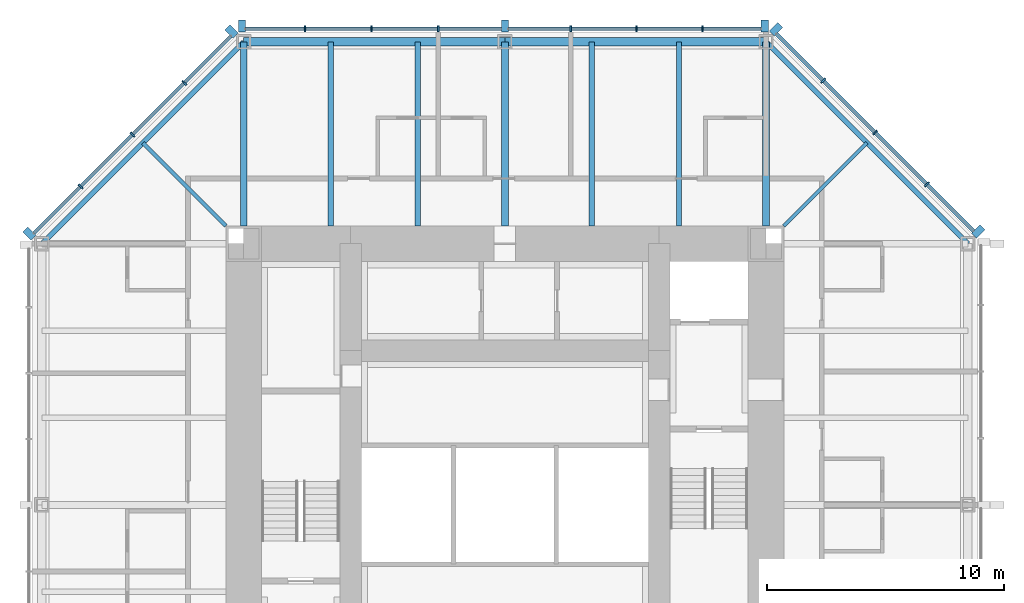
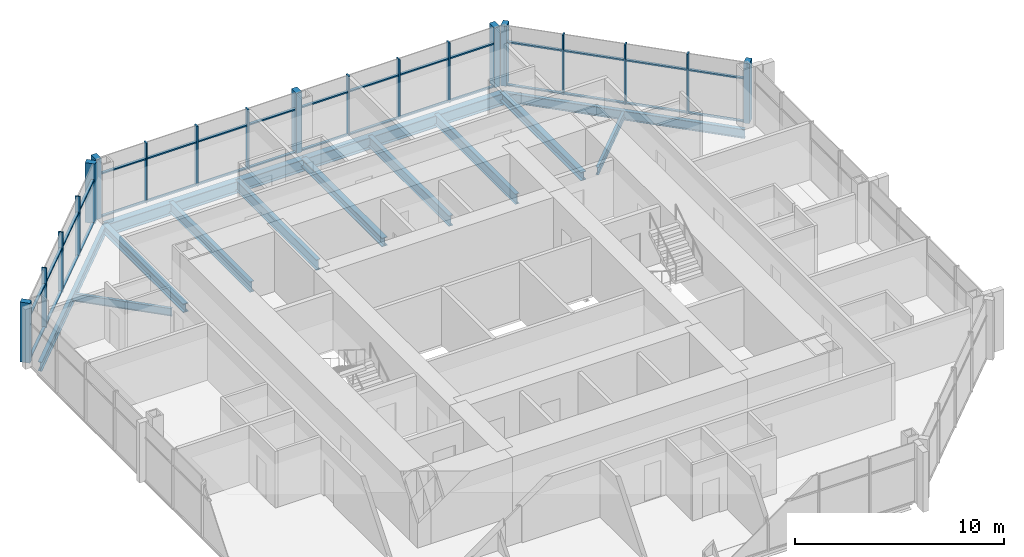
# One storey, part 5 of 11: 51 members, 13 beams, 3 elements without a shape of their own.
"""IFC4 building model written with IfcOpenShell, lengths in metres."""

from ifc_helpers import new_model, si_unit, direction, frame, origin, origin_2d, place, context, subcontext, project, spatial, rectangle, i_section, extrude, material, material_profile, profile_set, type_object, element, aggregate, save


model = new_model("IFC4")

# Units and contexts
model_context = context("Model", 3, precision=1e-05, world=origin(), true_north=direction((0.0, 1.0)))
body_context = subcontext(model_context, "Body", "Model", "MODEL_VIEW")
ifc_project = project(units=[si_unit("LENGTHUNIT", "METRE"), si_unit("AREAUNIT", "SQUARE_METRE"), si_unit("VOLUMEUNIT", "CUBIC_METRE"), si_unit("PLANEANGLEUNIT", "RADIAN"), si_unit("MASSUNIT", "GRAM", prefix="KILO")], contexts=[model_context])

# Site, building, storey
site_placement = place(None, origin())
site = spatial("IfcSite", under=ifc_project, at=site_placement, CompositionType="ELEMENT")
building_placement = place(site_placement, origin())
building = spatial("IfcBuilding", under=site, at=building_placement, Name="Trevanion Tower", CompositionType="ELEMENT")
storey_placement = place(building_placement, frame((0.0, 0.0, 211.699951171875)))
storey = spatial("IfcBuildingStorey", under=building, at=storey_placement, Name="L50", CompositionType="ELEMENT", Elevation=211.699951171875)

# Beams
ifc_material_1 = material(Name="Steel ASTM A992 Grade 50", Category="steel")
ifc_material_profile_1 = material_profile(ifc_material_1, i_section(OverallWidth=0.228271484375, OverallDepth=0.607177734375, WebThickness=0.01123046875, FlangeThickness=0.017333984375, at=origin_2d()), Name="W24X76")
ifc_profile_set_1 = profile_set([ifc_material_profile_1], Name="Steel ASTM A992 Grade 50")
beam_type_1 = type_object("IfcBeamType", Name="B11 W24X76", PredefinedType="BEAM", material=ifc_profile_set_1)
for number, where, z_axis, x_axis, name in (
    (1, (7.333251953125, 11.75, -0.493408203125), (0.0, 1.0, 0.0), (-1.0, 0.0, 0.0), "B11 L50"),
    (2, (3.666748046875, 11.75, -0.493408203125), (0.0, 1.0, 0.0), (-1.0, 0.0, 0.0), "B11 L50"),
    (3, (-3.666748046875, 11.75, -0.493408203125), (0.0, 1.0, 0.0), (-1.0, 0.0, 0.0), "B11 L50"),
    (4, (-7.333251953125, 11.75, -0.493408203125), (0.0, 1.0, 0.0), (-1.0, 0.0, 0.0), "B11 L50"),
):
    element("IfcBeam", number, at=place(storey_placement, frame(where, z_axis=z_axis, x_axis=x_axis)), inside=storey, type_object=beam_type_1, Name=name, PredefinedType="BEAM", context=body_context, shape_type="SweptSolid", body=[
        extrude(i_section(OverallWidth=0.228271484375, OverallDepth=0.607177734375, WebThickness=0.01123046875, FlangeThickness=0.017333984375, at=origin_2d()), origin(), (0.0, 0.0, 1.0), 7.75),
    ])
ifc_material_2 = material(Name="Steel ASTM A992 Grade 50", Category="steel")
ifc_material_profile_2 = material_profile(ifc_material_2, i_section(OverallWidth=0.15234375, OverallDepth=0.449462890625, WebThickness=0.007568359375, FlangeThickness=0.0107421875, at=origin_2d()), Name="W18X35")
ifc_profile_set_2 = profile_set([ifc_material_profile_2], Name="Steel ASTM A992 Grade 50")
beam_type_2 = type_object("IfcBeamType", Name="B12 W18X35", PredefinedType="BEAM", material=ifc_profile_set_2)
for number, where, z_axis, x_axis, name in (
    (5, (11.75, 11.75, -0.414794921875), (0.707106781187, 0.707106781187, 0.0), (-0.707106781187, 0.707106781187, 0.0), "B12 L50"),
    (6, (-11.75, 11.75, -0.414794921875), (-0.707106781187, 0.707106781187, 0.0), (-0.707106781187, -0.707106781187, 0.0), "B12 L50"),
):
    element("IfcBeam", number, at=place(storey_placement, frame(where, z_axis=z_axis, x_axis=x_axis)), inside=storey, type_object=beam_type_2, Name=name, PredefinedType="BEAM", context=body_context, shape_type="SweptSolid", body=[
        extrude(i_section(OverallWidth=0.15234375, OverallDepth=0.449462890625, WebThickness=0.007568359375, FlangeThickness=0.0107421875, at=origin_2d()), origin(), (0.0, 0.0, 1.0), 4.94970703125),
    ])

# Curtain wall, members
ifc_material_3 = material(Name="Aluminium and glass", Category="aluminium")
curtain_wall_type = type_object("IfcCurtainWallType", Name="CW3 curtain wall", PredefinedType="USERDEFINED", material=ifc_material_3)
curtain_wall_1_placement = place(storey_placement, origin())
curtain_wall_1 = element("IfcCurtainWall", 7, at=curtain_wall_1_placement, inside=storey, type_object=curtain_wall_type, Name="CW3 L50 1", ObjectType="UNITISED CURTAIN WALL", PredefinedType="USERDEFINED")
ifc_material_4 = material(Name="Aluminium extrusion, anodised bronze", Category="aluminium")
ifc_material_profile_3 = material_profile(ifc_material_4, rectangle(XDim=0.074951171875, YDim=0.25, at=origin_2d()), Name="CW3 mullion")
ifc_profile_set_3 = profile_set([ifc_material_profile_3], Name="Aluminium extrusion, anodised bronze")
member_type_1 = type_object("IfcMemberType", Name="CW3 mullion", PredefinedType="MULLION", material=ifc_profile_set_3)
member_1_placement = place(storey_placement, frame((17.775390625, 13.502197265625, -0.18994140625), z_axis=(0.0, 0.0, 1.0), x_axis=(-0.707106781187, 0.707106781187, 0.0)))
member_1 = element("IfcMember", 8, at=member_1_placement, type_object=member_type_1, Name="CW3 mullion 2", PredefinedType="MULLION", context=body_context, shape_type="SweptSolid", body=[
    extrude(rectangle(XDim=0.074951171875, YDim=0.25, at=origin_2d()), origin(), (0.0, 0.0, 1.0), 3.5),
])
member_2_placement = place(storey_placement, frame((15.593017578125, 15.684814453125, -0.18994140625), z_axis=(0.0, 0.0, 1.0), x_axis=(-0.707106781187, 0.707106781187, 0.0)))
member_2 = element("IfcMember", 9, at=member_2_placement, type_object=member_type_1, Name="CW3 mullion 3", PredefinedType="MULLION", context=body_context, shape_type="SweptSolid", body=[
    extrude(rectangle(XDim=0.074951171875, YDim=0.25, at=origin_2d()), origin(), (0.0, 0.0, 1.0), 3.5),
])
member_3_placement = place(storey_placement, frame((13.410400390625, 17.867431640625, -0.18994140625), z_axis=(0.0, 0.0, 1.0), x_axis=(-0.707106781187, 0.707106781187, 0.0)))
member_3 = element("IfcMember", 10, at=member_3_placement, type_object=member_type_1, Name="CW3 mullion 4", PredefinedType="MULLION", context=body_context, shape_type="SweptSolid", body=[
    extrude(rectangle(XDim=0.074951171875, YDim=0.25, at=origin_2d()), origin(), (0.0, 0.0, 1.0), 3.5),
])

curtain_wall_2_placement = place(storey_placement, origin())
curtain_wall_2 = element("IfcCurtainWall", 11, at=curtain_wall_2_placement, inside=storey, type_object=curtain_wall_type, Name="CW3 L50 2", ObjectType="UNITISED CURTAIN WALL", PredefinedType="USERDEFINED")
member_4_placement = place(storey_placement, frame((8.323486328125, 20.050048828125, -0.18994140625), z_axis=(0.0, 0.0, 1.0), x_axis=(-1.0, 0.0, 0.0)))
member_4 = element("IfcMember", 12, at=member_4_placement, type_object=member_type_1, Name="CW3 mullion 2", PredefinedType="MULLION", context=body_context, shape_type="SweptSolid", body=[
    extrude(rectangle(XDim=0.074951171875, YDim=0.25, at=origin_2d()), origin(), (0.0, 0.0, 1.0), 3.5),
])
member_5_placement = place(storey_placement, frame((5.548828125, 20.050048828125, -0.18994140625), z_axis=(0.0, 0.0, 1.0), x_axis=(-1.0, 0.0, 0.0)))
member_5 = element("IfcMember", 13, at=member_5_placement, type_object=member_type_1, Name="CW3 mullion 3", PredefinedType="MULLION", context=body_context, shape_type="SweptSolid", body=[
    extrude(rectangle(XDim=0.074951171875, YDim=0.25, at=origin_2d()), origin(), (0.0, 0.0, 1.0), 3.5),
])
member_6_placement = place(storey_placement, frame((2.7744140625, 20.050048828125, -0.18994140625), z_axis=(0.0, 0.0, 1.0), x_axis=(-1.0, 0.0, 0.0)))
member_6 = element("IfcMember", 14, at=member_6_placement, type_object=member_type_1, Name="CW3 mullion 4", PredefinedType="MULLION", context=body_context, shape_type="SweptSolid", body=[
    extrude(rectangle(XDim=0.074951171875, YDim=0.25, at=origin_2d()), origin(), (0.0, 0.0, 1.0), 3.5),
])
member_7_placement = place(storey_placement, frame((-2.806884765625, 20.050048828125, -0.18994140625), z_axis=(0.0, 0.0, 1.0), x_axis=(-1.0, 0.0, 0.0)))
member_7 = element("IfcMember", 15, at=member_7_placement, type_object=member_type_1, Name="CW3 mullion 6", PredefinedType="MULLION", context=body_context, shape_type="SweptSolid", body=[
    extrude(rectangle(XDim=0.074951171875, YDim=0.25, at=origin_2d()), origin(), (0.0, 0.0, 1.0), 3.5),
])
member_8_placement = place(storey_placement, frame((-5.614013671875, 20.050048828125, -0.18994140625), z_axis=(0.0, 0.0, 1.0), x_axis=(-1.0, 0.0, 0.0)))
member_8 = element("IfcMember", 16, at=member_8_placement, type_object=member_type_1, Name="CW3 mullion 7", PredefinedType="MULLION", context=body_context, shape_type="SweptSolid", body=[
    extrude(rectangle(XDim=0.074951171875, YDim=0.25, at=origin_2d()), origin(), (0.0, 0.0, 1.0), 3.5),
])
member_9_placement = place(storey_placement, frame((-8.4208984375, 20.050048828125, -0.18994140625), z_axis=(0.0, 0.0, 1.0), x_axis=(-1.0, 0.0, 0.0)))
member_9 = element("IfcMember", 17, at=member_9_placement, type_object=member_type_1, Name="CW3 mullion 8", PredefinedType="MULLION", context=body_context, shape_type="SweptSolid", body=[
    extrude(rectangle(XDim=0.074951171875, YDim=0.25, at=origin_2d()), origin(), (0.0, 0.0, 1.0), 3.5),
])

curtain_wall_3_placement = place(storey_placement, origin())
curtain_wall_3 = element("IfcCurtainWall", 18, at=curtain_wall_3_placement, inside=storey, type_object=curtain_wall_type, Name="CW3 L50 3", ObjectType="UNITISED CURTAIN WALL", PredefinedType="USERDEFINED")
member_10_placement = place(storey_placement, frame((-13.502197265625, 17.775390625, -0.18994140625), z_axis=(0.0, 0.0, 1.0), x_axis=(-0.707106781187, -0.707106781187, 0.0)))
member_10 = element("IfcMember", 19, at=member_10_placement, type_object=member_type_1, Name="CW3 mullion 2", PredefinedType="MULLION", context=body_context, shape_type="SweptSolid", body=[
    extrude(rectangle(XDim=0.074951171875, YDim=0.25, at=origin_2d()), origin(), (0.0, 0.0, 1.0), 3.5),
])
member_11_placement = place(storey_placement, frame((-15.684814453125, 15.593017578125, -0.18994140625), z_axis=(0.0, 0.0, 1.0), x_axis=(-0.707106781187, -0.707106781187, 0.0)))
member_11 = element("IfcMember", 20, at=member_11_placement, type_object=member_type_1, Name="CW3 mullion 3", PredefinedType="MULLION", context=body_context, shape_type="SweptSolid", body=[
    extrude(rectangle(XDim=0.074951171875, YDim=0.25, at=origin_2d()), origin(), (0.0, 0.0, 1.0), 3.5),
])
member_12_placement = place(storey_placement, frame((-17.867431640625, 13.410400390625, -0.18994140625), z_axis=(0.0, 0.0, 1.0), x_axis=(-0.707106781187, -0.707106781187, 0.0)))
member_12 = element("IfcMember", 21, at=member_12_placement, type_object=member_type_1, Name="CW3 mullion 4", PredefinedType="MULLION", context=body_context, shape_type="SweptSolid", body=[
    extrude(rectangle(XDim=0.074951171875, YDim=0.25, at=origin_2d()), origin(), (0.0, 0.0, 1.0), 3.5),
])

# Member
ifc_material_5 = material(Name="Aluminium extrusion, anodised bronze", Category="aluminium")
ifc_material_profile_4 = material_profile(ifc_material_5, rectangle(XDim=0.300048828125, YDim=0.5, at=origin_2d()), Name="CW3 pier mullion")
ifc_profile_set_4 = profile_set([ifc_material_profile_4], Name="Aluminium extrusion, anodised bronze")
member_type_2 = type_object("IfcMemberType", Name="CW3 pier mullion", PredefinedType="MULLION", material=ifc_profile_set_4)
member_13_placement = place(storey_placement, frame((19.9404296875, 11.51416015625, -0.18994140625), z_axis=(0.0, 0.0, 1.0), x_axis=(-0.707106781187, 0.707106781187, 0.0)))
member_13 = element("IfcMember", 22, at=member_13_placement, type_object=member_type_2, Name="CW3 pier mullion 1", PredefinedType="MULLION", context=body_context, shape_type="SweptSolid", body=[
    extrude(rectangle(XDim=0.300048828125, YDim=0.5, at=origin_2d()), origin(), (0.0, 0.0, 1.0), 3.5),
])

member_14_placement = place(storey_placement, frame((11.42236328125, 20.0322265625, -0.18994140625), z_axis=(0.0, 0.0, 1.0), x_axis=(-0.707106781187, 0.707106781187, 0.0)))
member_14 = element("IfcMember", 23, at=member_14_placement, type_object=member_type_2, Name="CW3 pier mullion 5", PredefinedType="MULLION", context=body_context, shape_type="SweptSolid", body=[
    extrude(rectangle(XDim=0.300048828125, YDim=0.5, at=origin_2d()), origin(), (0.0, 0.0, 1.0), 3.5),
])

member_15_placement = place(storey_placement, frame((10.94775390625, 20.175048828125, -0.18994140625), z_axis=(0.0, 0.0, 1.0), x_axis=(-1.0, 0.0, 0.0)))
member_15 = element("IfcMember", 24, at=member_15_placement, type_object=member_type_2, Name="CW3 pier mullion 1", PredefinedType="MULLION", context=body_context, shape_type="SweptSolid", body=[
    extrude(rectangle(XDim=0.300048828125, YDim=0.5, at=origin_2d()), origin(), (0.0, 0.0, 1.0), 3.5),
])

member_16_placement = place(storey_placement, frame((0.0, 20.175048828125, -0.18994140625), z_axis=(0.0, 0.0, 1.0), x_axis=(-1.0, 0.0, 0.0)))
member_16 = element("IfcMember", 25, at=member_16_placement, type_object=member_type_2, Name="CW3 pier mullion 5", PredefinedType="MULLION", context=body_context, shape_type="SweptSolid", body=[
    extrude(rectangle(XDim=0.300048828125, YDim=0.5, at=origin_2d()), origin(), (0.0, 0.0, 1.0), 3.5),
])

member_17_placement = place(storey_placement, frame((-11.077880859375, 20.175048828125, -0.18994140625), z_axis=(0.0, 0.0, 1.0), x_axis=(-1.0, 0.0, 0.0)))
member_17 = element("IfcMember", 26, at=member_17_placement, type_object=member_type_2, Name="CW3 pier mullion 9", PredefinedType="MULLION", context=body_context, shape_type="SweptSolid", body=[
    extrude(rectangle(XDim=0.300048828125, YDim=0.5, at=origin_2d()), origin(), (0.0, 0.0, 1.0), 3.5),
])

member_18_placement = place(storey_placement, frame((-11.51416015625, 19.9404296875, -0.18994140625), z_axis=(0.0, 0.0, 1.0), x_axis=(-0.707106781187, -0.707106781187, 0.0)))
member_18 = element("IfcMember", 27, at=member_18_placement, type_object=member_type_2, Name="CW3 pier mullion 1", PredefinedType="MULLION", context=body_context, shape_type="SweptSolid", body=[
    extrude(rectangle(XDim=0.300048828125, YDim=0.5, at=origin_2d()), origin(), (0.0, 0.0, 1.0), 3.5),
])

member_19_placement = place(storey_placement, frame((-20.0322265625, 11.42236328125, -0.18994140625), z_axis=(0.0, 0.0, 1.0), x_axis=(-0.707106781187, -0.707106781187, 0.0)))
member_19 = element("IfcMember", 28, at=member_19_placement, type_object=member_type_2, Name="CW3 pier mullion 5", PredefinedType="MULLION", context=body_context, shape_type="SweptSolid", body=[
    extrude(rectangle(XDim=0.300048828125, YDim=0.5, at=origin_2d()), origin(), (0.0, 0.0, 1.0), 3.5),
])

ifc_material_6 = material(Name="Aluminium extrusion, anodised bronze", Category="aluminium")
ifc_material_profile_5 = material_profile(ifc_material_6, rectangle(XDim=0.14990234375, YDim=0.074951171875, at=origin_2d()), Name="CW3 transom")
ifc_profile_set_5 = profile_set([ifc_material_profile_5], Name="Aluminium extrusion, anodised bronze")
member_type_3 = type_object("IfcMemberType", Name="CW3 transom", PredefinedType="USERDEFINED", material=ifc_profile_set_5)
member_20_placement = place(storey_placement, frame((19.745849609375, 11.531982421875, -0.15234375), z_axis=(-0.707106781187, 0.707106781187, 0.0), x_axis=(-0.707106781187, -0.707106781187, 0.0)))
member_20 = element("IfcMember", 29, at=member_20_placement, type_object=member_type_3, Name="CW3 transom 1.1", ObjectType="TRANSOM", PredefinedType="USERDEFINED", context=body_context, shape_type="SweptSolid", body=[
    extrude(rectangle(XDim=0.14990234375, YDim=0.074951171875, at=origin_2d()), origin(), (0.0, 0.0, 1.0), 2.7490234375),
])

member_21_placement = place(storey_placement, frame((19.745849609375, 11.531982421875, 2.360107421875), z_axis=(-0.707106781187, 0.707106781187, 0.0), x_axis=(-0.707106781187, -0.707106781187, 0.0)))
member_21 = element("IfcMember", 30, at=member_21_placement, type_object=member_type_3, Name="CW3 transom 1.2", ObjectType="TRANSOM", PredefinedType="USERDEFINED", context=body_context, shape_type="SweptSolid", body=[
    extrude(rectangle(XDim=0.14990234375, YDim=0.074951171875, at=origin_2d()), origin(), (0.0, 0.0, 1.0), 2.7490234375),
])

member_22_placement = place(storey_placement, frame((17.7490234375, 13.52880859375, -0.15234375), z_axis=(-0.707106781187, 0.707106781187, 0.0), x_axis=(-0.707106781187, -0.707106781187, 0.0)))
member_22 = element("IfcMember", 31, at=member_22_placement, type_object=member_type_3, Name="CW3 transom 2.1", ObjectType="TRANSOM", PredefinedType="USERDEFINED", context=body_context, shape_type="SweptSolid", body=[
    extrude(rectangle(XDim=0.14990234375, YDim=0.074951171875, at=origin_2d()), origin(), (0.0, 0.0, 1.0), 3.01171875),
])

member_23_placement = place(storey_placement, frame((17.7490234375, 13.52880859375, 2.360107421875), z_axis=(-0.707106781187, 0.707106781187, 0.0), x_axis=(-0.707106781187, -0.707106781187, 0.0)))
member_23 = element("IfcMember", 32, at=member_23_placement, type_object=member_type_3, Name="CW3 transom 2.2", ObjectType="TRANSOM", PredefinedType="USERDEFINED", context=body_context, shape_type="SweptSolid", body=[
    extrude(rectangle(XDim=0.14990234375, YDim=0.074951171875, at=origin_2d()), origin(), (0.0, 0.0, 1.0), 3.01171875),
])

member_24_placement = place(storey_placement, frame((15.56640625, 15.71142578125, -0.15234375), z_axis=(-0.707106781187, 0.707106781187, 0.0), x_axis=(-0.707106781187, -0.707106781187, 0.0)))
member_24 = element("IfcMember", 33, at=member_24_placement, type_object=member_type_3, Name="CW3 transom 3.1", ObjectType="TRANSOM", PredefinedType="USERDEFINED", context=body_context, shape_type="SweptSolid", body=[
    extrude(rectangle(XDim=0.14990234375, YDim=0.074951171875, at=origin_2d()), origin(), (0.0, 0.0, 1.0), 3.011474609375),
])

member_25_placement = place(storey_placement, frame((15.56640625, 15.71142578125, 2.360107421875), z_axis=(-0.707106781187, 0.707106781187, 0.0), x_axis=(-0.707106781187, -0.707106781187, 0.0)))
member_25 = element("IfcMember", 34, at=member_25_placement, type_object=member_type_3, Name="CW3 transom 3.2", ObjectType="TRANSOM", PredefinedType="USERDEFINED", context=body_context, shape_type="SweptSolid", body=[
    extrude(rectangle(XDim=0.14990234375, YDim=0.074951171875, at=origin_2d()), origin(), (0.0, 0.0, 1.0), 3.011474609375),
])

member_26_placement = place(storey_placement, frame((13.3837890625, 17.89404296875, -0.15234375), z_axis=(-0.707106781187, 0.707106781187, 0.0), x_axis=(-0.707106781187, -0.707106781187, 0.0)))
member_26 = element("IfcMember", 35, at=member_26_placement, type_object=member_type_3, Name="CW3 transom 4.1", ObjectType="TRANSOM", PredefinedType="USERDEFINED", context=body_context, shape_type="SweptSolid", body=[
    extrude(rectangle(XDim=0.14990234375, YDim=0.074951171875, at=origin_2d()), origin(), (0.0, 0.0, 1.0), 2.7490234375),
])

member_27_placement = place(storey_placement, frame((13.3837890625, 17.89404296875, 2.360107421875), z_axis=(-0.707106781187, 0.707106781187, 0.0), x_axis=(-0.707106781187, -0.707106781187, 0.0)))
member_27 = element("IfcMember", 36, at=member_27_placement, type_object=member_type_3, Name="CW3 transom 4.2", ObjectType="TRANSOM", PredefinedType="USERDEFINED", context=body_context, shape_type="SweptSolid", body=[
    extrude(rectangle(XDim=0.14990234375, YDim=0.074951171875, at=origin_2d()), origin(), (0.0, 0.0, 1.0), 2.7490234375),
])

aggregate(curtain_wall_1, [member_13, member_1, member_2, member_3, member_14, member_20, member_21, member_22, member_23, member_24, member_25, member_26, member_27])

member_28_placement = place(storey_placement, frame((10.7978515625, 20.050048828125, -0.15234375), z_axis=(-1.0, 0.0, 0.0), x_axis=(0.0, -1.0, 0.0)))
member_28 = element("IfcMember", 37, at=member_28_placement, type_object=member_type_3, Name="CW3 transom 1.1", ObjectType="TRANSOM", PredefinedType="USERDEFINED", context=body_context, shape_type="SweptSolid", body=[
    extrude(rectangle(XDim=0.14990234375, YDim=0.074951171875, at=origin_2d()), origin(), (0.0, 0.0, 1.0), 2.43701171875),
])

member_29_placement = place(storey_placement, frame((10.7978515625, 20.050048828125, 2.360107421875), z_axis=(-1.0, 0.0, 0.0), x_axis=(0.0, -1.0, 0.0)))
member_29 = element("IfcMember", 38, at=member_29_placement, type_object=member_type_3, Name="CW3 transom 1.2", ObjectType="TRANSOM", PredefinedType="USERDEFINED", context=body_context, shape_type="SweptSolid", body=[
    extrude(rectangle(XDim=0.14990234375, YDim=0.074951171875, at=origin_2d()), origin(), (0.0, 0.0, 1.0), 2.43701171875),
])

member_30_placement = place(storey_placement, frame((8.285888671875, 20.050048828125, -0.15234375), z_axis=(-1.0, 0.0, 0.0), x_axis=(0.0, -1.0, 0.0)))
member_30 = element("IfcMember", 39, at=member_30_placement, type_object=member_type_3, Name="CW3 transom 2.1", ObjectType="TRANSOM", PredefinedType="USERDEFINED", context=body_context, shape_type="SweptSolid", body=[
    extrude(rectangle(XDim=0.14990234375, YDim=0.074951171875, at=origin_2d()), origin(), (0.0, 0.0, 1.0), 2.699462890625),
])

member_31_placement = place(storey_placement, frame((8.285888671875, 20.050048828125, 2.360107421875), z_axis=(-1.0, 0.0, 0.0), x_axis=(0.0, -1.0, 0.0)))
member_31 = element("IfcMember", 40, at=member_31_placement, type_object=member_type_3, Name="CW3 transom 2.2", ObjectType="TRANSOM", PredefinedType="USERDEFINED", context=body_context, shape_type="SweptSolid", body=[
    extrude(rectangle(XDim=0.14990234375, YDim=0.074951171875, at=origin_2d()), origin(), (0.0, 0.0, 1.0), 2.699462890625),
])

member_32_placement = place(storey_placement, frame((5.511474609375, 20.050048828125, -0.15234375), z_axis=(-1.0, 0.0, 0.0), x_axis=(0.0, -1.0, 0.0)))
member_32 = element("IfcMember", 41, at=member_32_placement, type_object=member_type_3, Name="CW3 transom 3.1", ObjectType="TRANSOM", PredefinedType="USERDEFINED", context=body_context, shape_type="SweptSolid", body=[
    extrude(rectangle(XDim=0.14990234375, YDim=0.074951171875, at=origin_2d()), origin(), (0.0, 0.0, 1.0), 2.699462890625),
])

member_33_placement = place(storey_placement, frame((5.511474609375, 20.050048828125, 2.360107421875), z_axis=(-1.0, 0.0, 0.0), x_axis=(0.0, -1.0, 0.0)))
member_33 = element("IfcMember", 42, at=member_33_placement, type_object=member_type_3, Name="CW3 transom 3.2", ObjectType="TRANSOM", PredefinedType="USERDEFINED", context=body_context, shape_type="SweptSolid", body=[
    extrude(rectangle(XDim=0.14990234375, YDim=0.074951171875, at=origin_2d()), origin(), (0.0, 0.0, 1.0), 2.699462890625),
])

member_34_placement = place(storey_placement, frame((2.737060546875, 20.050048828125, -0.15234375), z_axis=(-1.0, 0.0, 0.0), x_axis=(0.0, -1.0, 0.0)))
member_34 = element("IfcMember", 43, at=member_34_placement, type_object=member_type_3, Name="CW3 transom 4.1", ObjectType="TRANSOM", PredefinedType="USERDEFINED", context=body_context, shape_type="SweptSolid", body=[
    extrude(rectangle(XDim=0.14990234375, YDim=0.074951171875, at=origin_2d()), origin(), (0.0, 0.0, 1.0), 2.587158203125),
])

member_35_placement = place(storey_placement, frame((2.737060546875, 20.050048828125, 2.360107421875), z_axis=(-1.0, 0.0, 0.0), x_axis=(0.0, -1.0, 0.0)))
member_35 = element("IfcMember", 44, at=member_35_placement, type_object=member_type_3, Name="CW3 transom 4.2", ObjectType="TRANSOM", PredefinedType="USERDEFINED", context=body_context, shape_type="SweptSolid", body=[
    extrude(rectangle(XDim=0.14990234375, YDim=0.074951171875, at=origin_2d()), origin(), (0.0, 0.0, 1.0), 2.587158203125),
])

member_36_placement = place(storey_placement, frame((-0.14990234375, 20.050048828125, -0.15234375), z_axis=(-1.0, 0.0, 0.0), x_axis=(0.0, -1.0, 0.0)))
member_36 = element("IfcMember", 45, at=member_36_placement, type_object=member_type_3, Name="CW3 transom 5.1", ObjectType="TRANSOM", PredefinedType="USERDEFINED", context=body_context, shape_type="SweptSolid", body=[
    extrude(rectangle(XDim=0.14990234375, YDim=0.074951171875, at=origin_2d()), origin(), (0.0, 0.0, 1.0), 2.619384765625),
])

member_37_placement = place(storey_placement, frame((-0.14990234375, 20.050048828125, 2.360107421875), z_axis=(-1.0, 0.0, 0.0), x_axis=(0.0, -1.0, 0.0)))
member_37 = element("IfcMember", 46, at=member_37_placement, type_object=member_type_3, Name="CW3 transom 5.2", ObjectType="TRANSOM", PredefinedType="USERDEFINED", context=body_context, shape_type="SweptSolid", body=[
    extrude(rectangle(XDim=0.14990234375, YDim=0.074951171875, at=origin_2d()), origin(), (0.0, 0.0, 1.0), 2.619384765625),
])

member_38_placement = place(storey_placement, frame((-2.844482421875, 20.050048828125, -0.15234375), z_axis=(-1.0, 0.0, 0.0), x_axis=(0.0, -1.0, 0.0)))
member_38 = element("IfcMember", 47, at=member_38_placement, type_object=member_type_3, Name="CW3 transom 6.1", ObjectType="TRANSOM", PredefinedType="USERDEFINED", context=body_context, shape_type="SweptSolid", body=[
    extrude(rectangle(XDim=0.14990234375, YDim=0.074951171875, at=origin_2d()), origin(), (0.0, 0.0, 1.0), 2.73193359375),
])

member_39_placement = place(storey_placement, frame((-2.844482421875, 20.050048828125, 2.360107421875), z_axis=(-1.0, 0.0, 0.0), x_axis=(0.0, -1.0, 0.0)))
member_39 = element("IfcMember", 48, at=member_39_placement, type_object=member_type_3, Name="CW3 transom 6.2", ObjectType="TRANSOM", PredefinedType="USERDEFINED", context=body_context, shape_type="SweptSolid", body=[
    extrude(rectangle(XDim=0.14990234375, YDim=0.074951171875, at=origin_2d()), origin(), (0.0, 0.0, 1.0), 2.73193359375),
])

member_40_placement = place(storey_placement, frame((-5.6513671875, 20.050048828125, -0.15234375), z_axis=(-1.0, 0.0, 0.0), x_axis=(0.0, -1.0, 0.0)))
member_40 = element("IfcMember", 49, at=member_40_placement, type_object=member_type_3, Name="CW3 transom 7.1", ObjectType="TRANSOM", PredefinedType="USERDEFINED", context=body_context, shape_type="SweptSolid", body=[
    extrude(rectangle(XDim=0.14990234375, YDim=0.074951171875, at=origin_2d()), origin(), (0.0, 0.0, 1.0), 2.73193359375),
])

member_41_placement = place(storey_placement, frame((-5.6513671875, 20.050048828125, 2.360107421875), z_axis=(-1.0, 0.0, 0.0), x_axis=(0.0, -1.0, 0.0)))
member_41 = element("IfcMember", 50, at=member_41_placement, type_object=member_type_3, Name="CW3 transom 7.2", ObjectType="TRANSOM", PredefinedType="USERDEFINED", context=body_context, shape_type="SweptSolid", body=[
    extrude(rectangle(XDim=0.14990234375, YDim=0.074951171875, at=origin_2d()), origin(), (0.0, 0.0, 1.0), 2.73193359375),
])

member_42_placement = place(storey_placement, frame((-8.45849609375, 20.050048828125, -0.15234375), z_axis=(-1.0, 0.0, 0.0), x_axis=(0.0, -1.0, 0.0)))
member_42 = element("IfcMember", 51, at=member_42_placement, type_object=member_type_3, Name="CW3 transom 8.1", ObjectType="TRANSOM", PredefinedType="USERDEFINED", context=body_context, shape_type="SweptSolid", body=[
    extrude(rectangle(XDim=0.14990234375, YDim=0.074951171875, at=origin_2d()), origin(), (0.0, 0.0, 1.0), 2.46923828125),
])

member_43_placement = place(storey_placement, frame((-8.45849609375, 20.050048828125, 2.360107421875), z_axis=(-1.0, 0.0, 0.0), x_axis=(0.0, -1.0, 0.0)))
member_43 = element("IfcMember", 52, at=member_43_placement, type_object=member_type_3, Name="CW3 transom 8.2", ObjectType="TRANSOM", PredefinedType="USERDEFINED", context=body_context, shape_type="SweptSolid", body=[
    extrude(rectangle(XDim=0.14990234375, YDim=0.074951171875, at=origin_2d()), origin(), (0.0, 0.0, 1.0), 2.46923828125),
])

aggregate(curtain_wall_2, [member_15, member_4, member_5, member_6, member_16, member_7, member_8, member_9, member_17, member_28, member_29, member_30, member_31, member_32, member_33, member_34, member_35, member_36, member_37, member_38, member_39, member_40, member_41, member_42, member_43])

member_44_placement = place(storey_placement, frame((-11.531982421875, 19.745849609375, -0.15234375), z_axis=(-0.707106781187, -0.707106781187, 0.0), x_axis=(0.707106781187, -0.707106781187, 0.0)))
member_44 = element("IfcMember", 53, at=member_44_placement, type_object=member_type_3, Name="CW3 transom 1.1", ObjectType="TRANSOM", PredefinedType="USERDEFINED", context=body_context, shape_type="SweptSolid", body=[
    extrude(rectangle(XDim=0.14990234375, YDim=0.074951171875, at=origin_2d()), origin(), (0.0, 0.0, 1.0), 2.7490234375),
])

member_45_placement = place(storey_placement, frame((-11.531982421875, 19.745849609375, 2.360107421875), z_axis=(-0.707106781187, -0.707106781187, 0.0), x_axis=(0.707106781187, -0.707106781187, 0.0)))
member_45 = element("IfcMember", 54, at=member_45_placement, type_object=member_type_3, Name="CW3 transom 1.2", ObjectType="TRANSOM", PredefinedType="USERDEFINED", context=body_context, shape_type="SweptSolid", body=[
    extrude(rectangle(XDim=0.14990234375, YDim=0.074951171875, at=origin_2d()), origin(), (0.0, 0.0, 1.0), 2.7490234375),
])

member_46_placement = place(storey_placement, frame((-13.52880859375, 17.7490234375, -0.15234375), z_axis=(-0.707106781187, -0.707106781187, 0.0), x_axis=(0.707106781187, -0.707106781187, 0.0)))
member_46 = element("IfcMember", 55, at=member_46_placement, type_object=member_type_3, Name="CW3 transom 2.1", ObjectType="TRANSOM", PredefinedType="USERDEFINED", context=body_context, shape_type="SweptSolid", body=[
    extrude(rectangle(XDim=0.14990234375, YDim=0.074951171875, at=origin_2d()), origin(), (0.0, 0.0, 1.0), 3.01171875),
])

member_47_placement = place(storey_placement, frame((-13.52880859375, 17.7490234375, 2.360107421875), z_axis=(-0.707106781187, -0.707106781187, 0.0), x_axis=(0.707106781187, -0.707106781187, 0.0)))
member_47 = element("IfcMember", 56, at=member_47_placement, type_object=member_type_3, Name="CW3 transom 2.2", ObjectType="TRANSOM", PredefinedType="USERDEFINED", context=body_context, shape_type="SweptSolid", body=[
    extrude(rectangle(XDim=0.14990234375, YDim=0.074951171875, at=origin_2d()), origin(), (0.0, 0.0, 1.0), 3.01171875),
])

member_48_placement = place(storey_placement, frame((-15.71142578125, 15.56640625, -0.15234375), z_axis=(-0.707106781187, -0.707106781187, 0.0), x_axis=(0.707106781187, -0.707106781187, 0.0)))
member_48 = element("IfcMember", 57, at=member_48_placement, type_object=member_type_3, Name="CW3 transom 3.1", ObjectType="TRANSOM", PredefinedType="USERDEFINED", context=body_context, shape_type="SweptSolid", body=[
    extrude(rectangle(XDim=0.14990234375, YDim=0.074951171875, at=origin_2d()), origin(), (0.0, 0.0, 1.0), 3.011474609375),
])

member_49_placement = place(storey_placement, frame((-15.71142578125, 15.56640625, 2.360107421875), z_axis=(-0.707106781187, -0.707106781187, 0.0), x_axis=(0.707106781187, -0.707106781187, 0.0)))
member_49 = element("IfcMember", 58, at=member_49_placement, type_object=member_type_3, Name="CW3 transom 3.2", ObjectType="TRANSOM", PredefinedType="USERDEFINED", context=body_context, shape_type="SweptSolid", body=[
    extrude(rectangle(XDim=0.14990234375, YDim=0.074951171875, at=origin_2d()), origin(), (0.0, 0.0, 1.0), 3.011474609375),
])

member_50_placement = place(storey_placement, frame((-17.89404296875, 13.3837890625, -0.15234375), z_axis=(-0.707106781187, -0.707106781187, 0.0), x_axis=(0.707106781187, -0.707106781187, 0.0)))
member_50 = element("IfcMember", 59, at=member_50_placement, type_object=member_type_3, Name="CW3 transom 4.1", ObjectType="TRANSOM", PredefinedType="USERDEFINED", context=body_context, shape_type="SweptSolid", body=[
    extrude(rectangle(XDim=0.14990234375, YDim=0.074951171875, at=origin_2d()), origin(), (0.0, 0.0, 1.0), 2.7490234375),
])

member_51_placement = place(storey_placement, frame((-17.89404296875, 13.3837890625, 2.360107421875), z_axis=(-0.707106781187, -0.707106781187, 0.0), x_axis=(0.707106781187, -0.707106781187, 0.0)))
member_51 = element("IfcMember", 60, at=member_51_placement, type_object=member_type_3, Name="CW3 transom 4.2", ObjectType="TRANSOM", PredefinedType="USERDEFINED", context=body_context, shape_type="SweptSolid", body=[
    extrude(rectangle(XDim=0.14990234375, YDim=0.074951171875, at=origin_2d()), origin(), (0.0, 0.0, 1.0), 2.7490234375),
])

aggregate(curtain_wall_3, [member_18, member_10, member_11, member_12, member_19, member_44, member_45, member_46, member_47, member_48, member_49, member_50, member_51])

# Beams
ifc_material_7 = material(Name="Steel ASTM A992 Grade 50", Category="steel")
ifc_material_profile_6 = material_profile(ifc_material_7, i_section(OverallWidth=0.28955078125, OverallDepth=0.508056640625, WebThickness=0.022705078125, FlangeThickness=0.040283203125, at=origin_2d()), Name="W18X175")
ifc_profile_set_6 = profile_set([ifc_material_profile_6], Name="Steel ASTM A992 Grade 50")
beam_type_3 = type_object("IfcBeamType", Name="G6 W18X175", PredefinedType="BEAM", material=ifc_profile_set_6)
for number, where, z_axis, x_axis, name in (
    (61, (11.0, 11.75, -0.44384765625), (0.0, 1.0, 0.0), (-1.0, 0.0, 0.0), "G6 L50"),
    (62, (0.0, 11.75, -0.44384765625), (0.0, 1.0, 0.0), (-1.0, 0.0, 0.0), "G6 L50"),
    (63, (-11.0, 11.75, -0.44384765625), (0.0, 1.0, 0.0), (-1.0, 0.0, 0.0), "G6 L50"),
):
    element("IfcBeam", number, at=place(storey_placement, frame(where, z_axis=z_axis, x_axis=x_axis)), inside=storey, type_object=beam_type_3, Name=name, PredefinedType="BEAM", context=body_context, shape_type="SweptSolid", body=[
        extrude(i_section(OverallWidth=0.28955078125, OverallDepth=0.508056640625, WebThickness=0.022705078125, FlangeThickness=0.040283203125, at=origin_2d()), origin(), (0.0, 0.0, 1.0), 7.75),
    ])
ifc_material_8 = material(Name="Steel ASTM A992 Grade 50", Category="steel")
ifc_material_profile_7 = material_profile(ifc_material_8, i_section(OverallWidth=0.355712890625, OverallDepth=0.696044921875, WebThickness=0.015380859375, FlangeThickness=0.024658203125, at=origin_2d()), Name="W27X146")
ifc_profile_set_7 = profile_set([ifc_material_profile_7], Name="Steel ASTM A992 Grade 50")
beam_type_4 = type_object("IfcBeamType", Name="SB8 W27X146", PredefinedType="SPANDREL", material=ifc_profile_set_7)
for number, where, z_axis, x_axis, name in (
    (64, (11.0, 19.5, -0.537841796875), (-1.0, 0.0, 0.0), (0.0, -1.0, 0.0), "SB8 L50"),
    (65, (0.0, 19.5, -0.537841796875), (-1.0, 0.0, 0.0), (0.0, -1.0, 0.0), "SB8 L50"),
):
    element("IfcBeam", number, at=place(storey_placement, frame(where, z_axis=z_axis, x_axis=x_axis)), inside=storey, type_object=beam_type_4, Name=name, PredefinedType="SPANDREL", context=body_context, shape_type="SweptSolid", body=[
        extrude(i_section(OverallWidth=0.355712890625, OverallDepth=0.696044921875, WebThickness=0.015380859375, FlangeThickness=0.024658203125, at=origin_2d()), origin(), (0.0, 0.0, 1.0), 11.0),
    ])
ifc_material_9 = material(Name="Steel ASTM A992 Grade 50", Category="steel")
ifc_material_profile_8 = material_profile(ifc_material_9, i_section(OverallWidth=0.209228515625, OverallDepth=0.533447265625, WebThickness=0.01025390625, FlangeThickness=0.015625, at=origin_2d()), Name="W21X62")
ifc_profile_set_8 = profile_set([ifc_material_profile_8], Name="Steel ASTM A992 Grade 50")
beam_type_5 = type_object("IfcBeamType", Name="SB9 W21X62", PredefinedType="SPANDREL", material=ifc_profile_set_8)
for number, where, z_axis, x_axis, name in (
    (66, (19.5, 11.0, -0.45654296875), (-0.707106781187, 0.707106781187, 0.0), (-0.707106781187, -0.707106781187, 0.0), "SB9 L50"),
    (67, (-11.0, 19.5, -0.45654296875), (-0.707106781187, -0.707106781187, 0.0), (0.707106781187, -0.707106781187, 0.0), "SB9 L50"),
):
    element("IfcBeam", number, at=place(storey_placement, frame(where, z_axis=z_axis, x_axis=x_axis)), inside=storey, type_object=beam_type_5, Name=name, PredefinedType="SPANDREL", context=body_context, shape_type="SweptSolid", body=[
        extrude(i_section(OverallWidth=0.209228515625, OverallDepth=0.533447265625, WebThickness=0.01025390625, FlangeThickness=0.015625, at=origin_2d()), origin(), (0.0, 0.0, 1.0), 12.020751953125),
    ])

save(model, "model.ifc")
